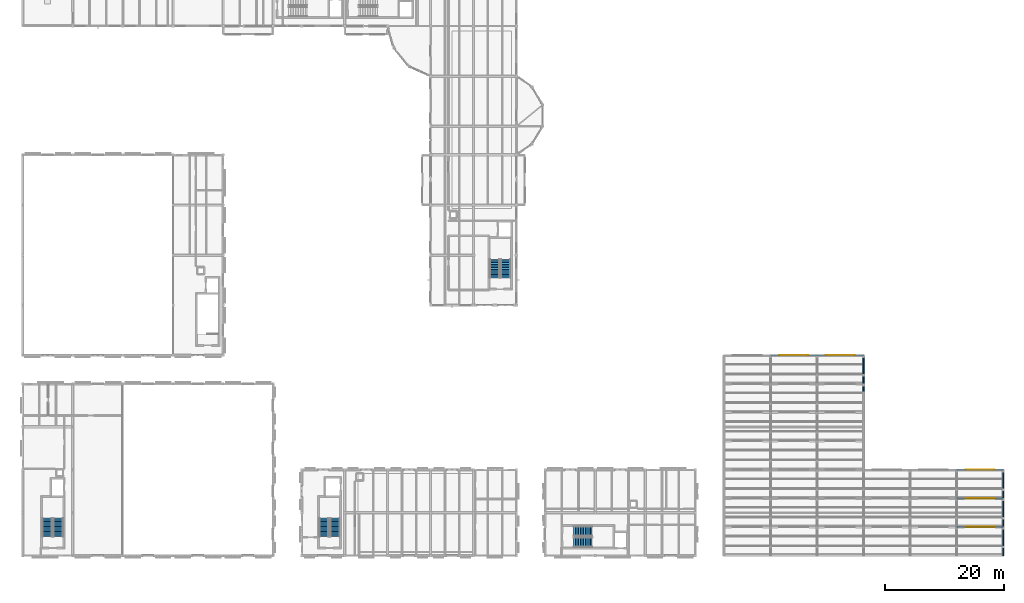
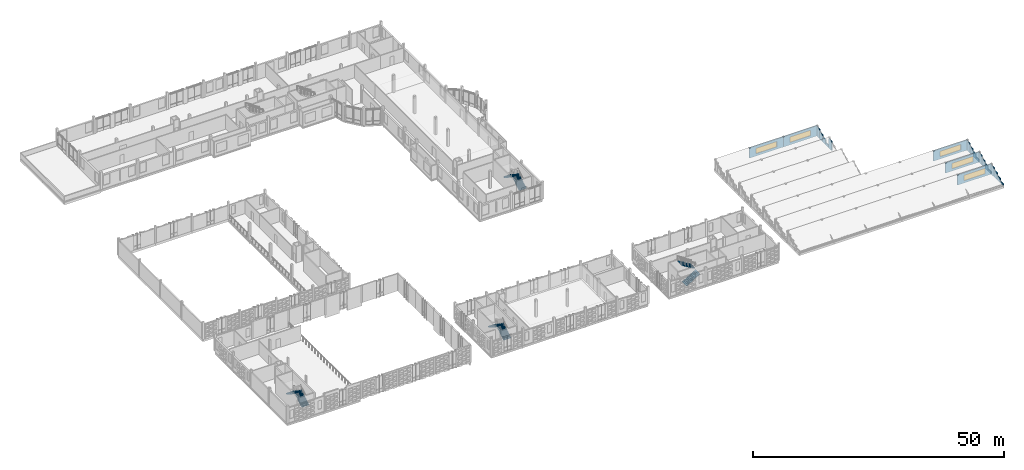
# One storey, part 64 of 81: 22 walls, 8 stair flights, 5 windows, 5 openings, 4 elements without a shape of their own.
"""IFC4 building model written with IfcOpenShell, lengths in metres."""

from ifc_helpers import new_model, si_unit, direction, frame, frame_2d, origin, place, context, subcontext, project, spatial, polyline, rectangle, outline, extrude, material, layer, layer_set, type_object, element, fill, aggregate, save


model = new_model("IFC4")

# Units and contexts
model_context = context("Model", 3, precision=1e-05, world=origin(), true_north=direction((0.0, 1.0)))
body_context = subcontext(model_context, "Body", "Model", "MODEL_VIEW")
ifc_project = project(units=[si_unit("LENGTHUNIT", "METRE"), si_unit("AREAUNIT", "SQUARE_METRE"), si_unit("VOLUMEUNIT", "CUBIC_METRE"), si_unit("PLANEANGLEUNIT", "RADIAN"), si_unit("MASSUNIT", "GRAM", prefix="KILO")], contexts=[model_context])

# Site, building, storey
site_placement = place(None, origin())
site = spatial("IfcSite", under=ifc_project, at=site_placement, CompositionType="ELEMENT")
building_placement = place(site_placement, origin())
building = spatial("IfcBuilding", under=site, at=building_placement, Name="Kahlenmark Community Centre", CompositionType="ELEMENT")
storey_placement = place(building_placement, frame((0.0, 0.0, 9.60009765625)))
storey = spatial("IfcBuildingStorey", under=building, at=storey_placement, Name="L02", CompositionType="ELEMENT", Elevation=9.60009765625)

# Wall, opening, window
ifc_material_1 = material(Name="Cross-laminated timber CLT C24", Category="wood")
ifc_layer = layer(ifc_material_1, 0.199951171875)
ifc_layer_set = layer_set([ifc_layer], Name="Cross-laminated timber CLT C24")
wall_type = type_object("IfcWallType", Name="WT-EW-SAW200", PredefinedType="SOLIDWALL", material=ifc_layer_set)
wall_1_placement = place(storey_placement, frame((160.60009765625, 13.60009765625, 0.0), z_axis=(0.0, 0.0, 1.0), x_axis=(1.0, 0.0, 0.0)))
wall_1 = element("IfcWall", 1, at=wall_1_placement, inside=storey, type_object=wall_type, Name="Sawtooth north-light wall bay 1", PredefinedType="SOLIDWALL", context=body_context, shape_type="SweptSolid", body=[
    extrude(rectangle(XDim=7.7998046875, YDim=0.199951171875, at=frame_2d((3.89990234375, 0.0))), origin(), (0.0, 0.0, 1.0), 2.4599609375),
])
opening_1_placement = place(wall_1_placement, frame((1.5, 0.0, 0.580078125)))
opening_1 = element("IfcOpeningElement", 2, at=opening_1_placement, cuts=wall_1, Name="Opening SK-SAW1", PredefinedType="OPENING", context=body_context, shape_type="SweptSolid", body=[
    extrude(rectangle(XDim=4.800048828125, YDim=1.300048828125, at=frame_2d((2.39990234375, 0.64990234375))), frame((0.0, 0.10986328125, 0.0), z_axis=(0.0, -1.0, 0.0), x_axis=(1.0, 0.0, 0.0)), (0.0, 0.0, 1.0), 0.219970703125),
])
ifc_material_2 = material(Name="North-light solar control triple glazing", Category="glass")
window_type = type_object("IfcWindowType", Name="WNT-SK-SAW", PartitioningType="TRIPLE_PANEL_VERTICAL", PredefinedType="SKYLIGHT", material=ifc_material_2)
window_1_placement = place(opening_1_placement, origin())
window_1 = element("IfcWindow", 3, at=window_1_placement, inside=storey, type_object=window_type, Name="Sawtooth north-light skylight 0556", OverallHeight=1.300048828125, OverallWidth=4.800048828125, PartitioningType="TRIPLE_PANEL_VERTICAL", PredefinedType="SKYLIGHT", context=body_context, shape_type="SweptSolid", body=[
    extrude(rectangle(XDim=4.800048828125, YDim=1.300048828125, at=frame_2d((2.39990234375, 0.64990234375))), frame((0.0, 0.030029296875, 0.0), z_axis=(0.0, -1.0, 0.0), x_axis=(1.0, 0.0, 0.0)), (0.0, 0.0, 1.0), 0.06005859375),
])
fill(opening_1, window_1)

# Walls
wall_2_placement = place(storey_placement, frame((168.39990234375, 8.800048828125, 0.0), z_axis=(0.0, 0.0, 1.0), x_axis=(0.0, 1.0, 0.0)))
element("IfcWall", 4, at=wall_2_placement, inside=storey, type_object=wall_type, Name="Sawtooth stepped cheek gable 0938", PredefinedType="SOLIDWALL", context=body_context, shape_type="SweptSolid", body=[
    extrude(rectangle(XDim=1.199951171875, YDim=0.199951171875, at=frame_2d((0.60009765625, 0.0))), origin(), (0.0, 0.0, 1.0), 0.5439453125),
])
wall_3_placement = place(storey_placement, frame((168.39990234375, 10.0, 0.0), z_axis=(0.0, 0.0, 1.0), x_axis=(0.0, 1.0, 0.0)))
element("IfcWall", 5, at=wall_3_placement, inside=storey, type_object=wall_type, Name="Sawtooth stepped cheek gable 0939", PredefinedType="SOLIDWALL", context=body_context, shape_type="SweptSolid", body=[
    extrude(rectangle(XDim=1.199951171875, YDim=0.199951171875, at=frame_2d((0.60009765625, 0.0))), origin(), (0.0, 0.0, 1.0), 1.10400390625),
])
wall_4_placement = place(storey_placement, frame((168.39990234375, 11.199951171875, 0.0), z_axis=(0.0, 0.0, 1.0), x_axis=(0.0, 1.0, 0.0)))
element("IfcWall", 6, at=wall_4_placement, inside=storey, type_object=wall_type, Name="Sawtooth stepped cheek gable 0940", PredefinedType="SOLIDWALL", context=body_context, shape_type="SweptSolid", body=[
    extrude(rectangle(XDim=1.199951171875, YDim=0.199951171875, at=frame_2d((0.60009765625, 0.0))), origin(), (0.0, 0.0, 1.0), 1.663818359375),
])
wall_5_placement = place(storey_placement, frame((168.39990234375, 12.39990234375, 0.0), z_axis=(0.0, 0.0, 1.0), x_axis=(0.0, 1.0, 0.0)))
element("IfcWall", 7, at=wall_5_placement, inside=storey, type_object=wall_type, Name="Sawtooth stepped cheek gable 0941", PredefinedType="SOLIDWALL", context=body_context, shape_type="SweptSolid", body=[
    extrude(rectangle(XDim=1.2001953125, YDim=0.199951171875, at=frame_2d((0.60009765625, 0.0))), origin(), (0.0, 0.0, 1.0), 2.223876953125),
])

# Wall, opening, window
wall_6_placement = place(storey_placement, frame((160.60009765625, 18.39990234375, 0.0), z_axis=(0.0, 0.0, 1.0), x_axis=(1.0, 0.0, 0.0)))
wall_6 = element("IfcWall", 8, at=wall_6_placement, inside=storey, type_object=wall_type, Name="Sawtooth north-light wall bay 2", PredefinedType="SOLIDWALL", context=body_context, shape_type="SweptSolid", body=[
    extrude(rectangle(XDim=7.7998046875, YDim=0.199951171875, at=frame_2d((3.89990234375, 0.0))), origin(), (0.0, 0.0, 1.0), 2.4599609375),
])
opening_2_placement = place(wall_6_placement, frame((1.5, 0.0, 0.580078125)))
opening_2 = element("IfcOpeningElement", 9, at=opening_2_placement, cuts=wall_6, Name="Opening SK-SAW1", PredefinedType="OPENING", context=body_context, shape_type="SweptSolid", body=[
    extrude(rectangle(XDim=4.800048828125, YDim=1.300048828125, at=frame_2d((2.39990234375, 0.64990234375))), frame((0.0, 0.10986328125, 0.0), z_axis=(0.0, -1.0, 0.0), x_axis=(1.0, 0.0, 0.0)), (0.0, 0.0, 1.0), 0.219970703125),
])
window_2_placement = place(opening_2_placement, origin())
window_2 = element("IfcWindow", 10, at=window_2_placement, inside=storey, type_object=window_type, Name="Sawtooth north-light skylight 0562", OverallHeight=1.300048828125, OverallWidth=4.800048828125, PartitioningType="TRIPLE_PANEL_VERTICAL", PredefinedType="SKYLIGHT", context=body_context, shape_type="SweptSolid", body=[
    extrude(rectangle(XDim=4.800048828125, YDim=1.300048828125, at=frame_2d((2.39990234375, 0.64990234375))), frame((0.0, 0.030029296875, 0.0), z_axis=(0.0, -1.0, 0.0), x_axis=(1.0, 0.0, 0.0)), (0.0, 0.0, 1.0), 0.06005859375),
])
fill(opening_2, window_2)

# Walls
wall_7_placement = place(storey_placement, frame((168.39990234375, 13.60009765625, 0.0), z_axis=(0.0, 0.0, 1.0), x_axis=(0.0, 1.0, 0.0)))
element("IfcWall", 11, at=wall_7_placement, inside=storey, type_object=wall_type, Name="Sawtooth stepped cheek gable 0952", PredefinedType="SOLIDWALL", context=body_context, shape_type="SweptSolid", body=[
    extrude(rectangle(XDim=1.199951171875, YDim=0.199951171875, at=frame_2d((0.60009765625, 0.0))), origin(), (0.0, 0.0, 1.0), 0.5439453125),
])
wall_8_placement = place(storey_placement, frame((168.39990234375, 14.800048828125, 0.0), z_axis=(0.0, 0.0, 1.0), x_axis=(0.0, 1.0, 0.0)))
element("IfcWall", 12, at=wall_8_placement, inside=storey, type_object=wall_type, Name="Sawtooth stepped cheek gable 0953", PredefinedType="SOLIDWALL", context=body_context, shape_type="SweptSolid", body=[
    extrude(rectangle(XDim=1.199951171875, YDim=0.199951171875, at=frame_2d((0.60009765625, 0.0))), origin(), (0.0, 0.0, 1.0), 1.10400390625),
])
wall_9_placement = place(storey_placement, frame((168.39990234375, 16.0, 0.0), z_axis=(0.0, 0.0, 1.0), x_axis=(0.0, 1.0, 0.0)))
element("IfcWall", 13, at=wall_9_placement, inside=storey, type_object=wall_type, Name="Sawtooth stepped cheek gable 0954", PredefinedType="SOLIDWALL", context=body_context, shape_type="SweptSolid", body=[
    extrude(rectangle(XDim=1.199951171875, YDim=0.199951171875, at=frame_2d((0.60009765625, 0.0))), origin(), (0.0, 0.0, 1.0), 1.663818359375),
])
wall_10_placement = place(storey_placement, frame((168.39990234375, 17.199951171875, 0.0), z_axis=(0.0, 0.0, 1.0), x_axis=(0.0, 1.0, 0.0)))
element("IfcWall", 14, at=wall_10_placement, inside=storey, type_object=wall_type, Name="Sawtooth stepped cheek gable 0955", PredefinedType="SOLIDWALL", context=body_context, shape_type="SweptSolid", body=[
    extrude(rectangle(XDim=1.199951171875, YDim=0.199951171875, at=frame_2d((0.60009765625, 0.0))), origin(), (0.0, 0.0, 1.0), 2.223876953125),
])

# Wall, opening, window
wall_11_placement = place(storey_placement, frame((160.60009765625, 23.199951171875, 0.0), z_axis=(0.0, 0.0, 1.0), x_axis=(1.0, 0.0, 0.0)))
wall_11 = element("IfcWall", 15, at=wall_11_placement, inside=storey, type_object=wall_type, Name="Sawtooth north-light wall bay 3", PredefinedType="SOLIDWALL", context=body_context, shape_type="SweptSolid", body=[
    extrude(rectangle(XDim=7.7998046875, YDim=0.199951171875, at=frame_2d((3.89990234375, 0.0))), origin(), (0.0, 0.0, 1.0), 2.4599609375),
])
opening_3_placement = place(wall_11_placement, frame((1.5, 0.0, 0.580078125)))
opening_3 = element("IfcOpeningElement", 16, at=opening_3_placement, cuts=wall_11, Name="Opening SK-SAW1", PredefinedType="OPENING", context=body_context, shape_type="SweptSolid", body=[
    extrude(rectangle(XDim=4.800048828125, YDim=1.300048828125, at=frame_2d((2.39990234375, 0.64990234375))), frame((0.0, 0.10986328125, 0.0), z_axis=(0.0, -1.0, 0.0), x_axis=(1.0, 0.0, 0.0)), (0.0, 0.0, 1.0), 0.219970703125),
])
window_3_placement = place(opening_3_placement, origin())
window_3 = element("IfcWindow", 17, at=window_3_placement, inside=storey, type_object=window_type, Name="Sawtooth north-light skylight 0568", OverallHeight=1.300048828125, OverallWidth=4.800048828125, PartitioningType="TRIPLE_PANEL_VERTICAL", PredefinedType="SKYLIGHT", context=body_context, shape_type="SweptSolid", body=[
    extrude(rectangle(XDim=4.800048828125, YDim=1.300048828125, at=frame_2d((2.39990234375, 0.64990234375))), frame((0.0, 0.030029296875, 0.0), z_axis=(0.0, -1.0, 0.0), x_axis=(1.0, 0.0, 0.0)), (0.0, 0.0, 1.0), 0.06005859375),
])
fill(opening_3, window_3)

# Walls
wall_12_placement = place(storey_placement, frame((168.39990234375, 18.39990234375, 0.0), z_axis=(0.0, 0.0, 1.0), x_axis=(0.0, 1.0, 0.0)))
element("IfcWall", 18, at=wall_12_placement, inside=storey, type_object=wall_type, Name="Sawtooth stepped cheek gable 0966", PredefinedType="SOLIDWALL", context=body_context, shape_type="SweptSolid", body=[
    extrude(rectangle(XDim=1.2001953125, YDim=0.199951171875, at=frame_2d((0.60009765625, 0.0))), origin(), (0.0, 0.0, 1.0), 0.5439453125),
])
wall_13_placement = place(storey_placement, frame((168.39990234375, 19.60009765625, 0.0), z_axis=(0.0, 0.0, 1.0), x_axis=(0.0, 1.0, 0.0)))
element("IfcWall", 19, at=wall_13_placement, inside=storey, type_object=wall_type, Name="Sawtooth stepped cheek gable 0967", PredefinedType="SOLIDWALL", context=body_context, shape_type="SweptSolid", body=[
    extrude(rectangle(XDim=1.199951171875, YDim=0.199951171875, at=frame_2d((0.60009765625, 0.0))), origin(), (0.0, 0.0, 1.0), 1.10400390625),
])
wall_14_placement = place(storey_placement, frame((168.39990234375, 20.800048828125, 0.0), z_axis=(0.0, 0.0, 1.0), x_axis=(0.0, 1.0, 0.0)))
element("IfcWall", 20, at=wall_14_placement, inside=storey, type_object=wall_type, Name="Sawtooth stepped cheek gable 0968", PredefinedType="SOLIDWALL", context=body_context, shape_type="SweptSolid", body=[
    extrude(rectangle(XDim=1.199951171875, YDim=0.199951171875, at=frame_2d((0.60009765625, 0.0))), origin(), (0.0, 0.0, 1.0), 1.663818359375),
])
wall_15_placement = place(storey_placement, frame((168.39990234375, 22.0, 0.0), z_axis=(0.0, 0.0, 1.0), x_axis=(0.0, 1.0, 0.0)))
element("IfcWall", 21, at=wall_15_placement, inside=storey, type_object=wall_type, Name="Sawtooth stepped cheek gable 0969", PredefinedType="SOLIDWALL", context=body_context, shape_type="SweptSolid", body=[
    extrude(rectangle(XDim=1.199951171875, YDim=0.199951171875, at=frame_2d((0.60009765625, 0.0))), origin(), (0.0, 0.0, 1.0), 2.223876953125),
])
wall_16_placement = place(storey_placement, frame((145.0, 36.39990234375, 0.0), z_axis=(0.0, 0.0, 1.0), x_axis=(0.0, 1.0, 0.0)))
element("IfcWall", 22, at=wall_16_placement, inside=storey, type_object=wall_type, Name="Sawtooth stepped cheek gable 1002", PredefinedType="SOLIDWALL", context=body_context, shape_type="SweptSolid", body=[
    extrude(rectangle(XDim=1.2001953125, YDim=0.199951171875, at=frame_2d((0.60009765625, 0.0))), origin(), (0.0, 0.0, 1.0), 2.223876953125),
])

# Wall, opening, window
wall_17_placement = place(storey_placement, frame((129.39990234375, 42.39990234375, 0.0), z_axis=(0.0, 0.0, 1.0), x_axis=(1.0, 0.0, 0.0)))
wall_17 = element("IfcWall", 23, at=wall_17_placement, inside=storey, type_object=wall_type, Name="Sawtooth north-light wall bay 7", PredefinedType="SOLIDWALL", context=body_context, shape_type="SweptSolid", body=[
    extrude(rectangle(XDim=7.800048828125, YDim=0.199951171875, at=frame_2d((3.89990234375, 0.0))), origin(), (0.0, 0.0, 1.0), 2.4599609375),
])
opening_4_placement = place(wall_17_placement, frame((1.5, 0.0, 0.580078125)))
opening_4 = element("IfcOpeningElement", 24, at=opening_4_placement, cuts=wall_17, Name="Opening SK-SAW1", PredefinedType="OPENING", context=body_context, shape_type="SweptSolid", body=[
    extrude(rectangle(XDim=4.800048828125, YDim=1.300048828125, at=frame_2d((2.39990234375, 0.64990234375))), frame((0.0, 0.10986328125, 0.0), z_axis=(0.0, -1.0, 0.0), x_axis=(1.0, 0.0, 0.0)), (0.0, 0.0, 1.0), 0.219970703125),
])
window_4_placement = place(opening_4_placement, origin())
window_4 = element("IfcWindow", 25, at=window_4_placement, inside=storey, type_object=window_type, Name="Sawtooth north-light skylight 0579", OverallHeight=1.300048828125, OverallWidth=4.800048828125, PartitioningType="TRIPLE_PANEL_VERTICAL", PredefinedType="SKYLIGHT", context=body_context, shape_type="SweptSolid", body=[
    extrude(rectangle(XDim=4.800048828125, YDim=1.300048828125, at=frame_2d((2.39990234375, 0.64990234375))), frame((0.0, 0.030029296875, 0.0), z_axis=(0.0, -1.0, 0.0), x_axis=(1.0, 0.0, 0.0)), (0.0, 0.0, 1.0), 0.06005859375),
])
fill(opening_4, window_4)

wall_18_placement = place(storey_placement, frame((137.199951171875, 42.39990234375, 0.0), z_axis=(0.0, 0.0, 1.0), x_axis=(1.0, 0.0, 0.0)))
wall_18 = element("IfcWall", 26, at=wall_18_placement, inside=storey, type_object=wall_type, Name="Sawtooth north-light wall bay 7", PredefinedType="SOLIDWALL", context=body_context, shape_type="SweptSolid", body=[
    extrude(rectangle(XDim=7.800048828125, YDim=0.199951171875, at=frame_2d((3.89990234375, 0.0))), origin(), (0.0, 0.0, 1.0), 2.4599609375),
])
opening_5_placement = place(wall_18_placement, frame((1.5, 0.0, 0.580078125)))
opening_5 = element("IfcOpeningElement", 27, at=opening_5_placement, cuts=wall_18, Name="Opening SK-SAW1", PredefinedType="OPENING", context=body_context, shape_type="SweptSolid", body=[
    extrude(rectangle(XDim=4.800048828125, YDim=1.300048828125, at=frame_2d((2.39990234375, 0.64990234375))), frame((0.0, 0.10986328125, 0.0), z_axis=(0.0, -1.0, 0.0), x_axis=(1.0, 0.0, 0.0)), (0.0, 0.0, 1.0), 0.219970703125),
])
window_5_placement = place(opening_5_placement, origin())
window_5 = element("IfcWindow", 28, at=window_5_placement, inside=storey, type_object=window_type, Name="Sawtooth north-light skylight 0580", OverallHeight=1.300048828125, OverallWidth=4.800048828125, PartitioningType="TRIPLE_PANEL_VERTICAL", PredefinedType="SKYLIGHT", context=body_context, shape_type="SweptSolid", body=[
    extrude(rectangle(XDim=4.800048828125, YDim=1.300048828125, at=frame_2d((2.39990234375, 0.64990234375))), frame((0.0, 0.030029296875, 0.0), z_axis=(0.0, -1.0, 0.0), x_axis=(1.0, 0.0, 0.0)), (0.0, 0.0, 1.0), 0.06005859375),
])
fill(opening_5, window_5)

# Walls
wall_19_placement = place(storey_placement, frame((145.0, 37.60009765625, 0.0), z_axis=(0.0, 0.0, 1.0), x_axis=(0.0, 1.0, 0.0)))
element("IfcWall", 29, at=wall_19_placement, inside=storey, type_object=wall_type, Name="Sawtooth stepped cheek gable 1010", PredefinedType="SOLIDWALL", context=body_context, shape_type="SweptSolid", body=[
    extrude(rectangle(XDim=1.199951171875, YDim=0.199951171875, at=frame_2d((0.60009765625, 0.0))), origin(), (0.0, 0.0, 1.0), 0.5439453125),
])
wall_20_placement = place(storey_placement, frame((145.0, 38.800048828125, 0.0), z_axis=(0.0, 0.0, 1.0), x_axis=(0.0, 1.0, 0.0)))
element("IfcWall", 30, at=wall_20_placement, inside=storey, type_object=wall_type, Name="Sawtooth stepped cheek gable 1011", PredefinedType="SOLIDWALL", context=body_context, shape_type="SweptSolid", body=[
    extrude(rectangle(XDim=1.199951171875, YDim=0.199951171875, at=frame_2d((0.60009765625, 0.0))), origin(), (0.0, 0.0, 1.0), 1.10400390625),
])
wall_21_placement = place(storey_placement, frame((145.0, 40.0, 0.0), z_axis=(0.0, 0.0, 1.0), x_axis=(0.0, 1.0, 0.0)))
element("IfcWall", 31, at=wall_21_placement, inside=storey, type_object=wall_type, Name="Sawtooth stepped cheek gable 1012", PredefinedType="SOLIDWALL", context=body_context, shape_type="SweptSolid", body=[
    extrude(rectangle(XDim=1.199951171875, YDim=0.199951171875, at=frame_2d((0.60009765625, 0.0))), origin(), (0.0, 0.0, 1.0), 1.663818359375),
])
wall_22_placement = place(storey_placement, frame((145.0, 41.199951171875, 0.0), z_axis=(0.0, 0.0, 1.0), x_axis=(0.0, 1.0, 0.0)))
element("IfcWall", 32, at=wall_22_placement, inside=storey, type_object=wall_type, Name="Sawtooth stepped cheek gable 1013", PredefinedType="SOLIDWALL", context=body_context, shape_type="SweptSolid", body=[
    extrude(rectangle(XDim=1.199951171875, YDim=0.199951171875, at=frame_2d((0.60009765625, 0.0))), origin(), (0.0, 0.0, 1.0), 2.223876953125),
])

# Stair, stair flights
ifc_material_3 = material(Name="Concrete C35/45", Category="concrete")
stair_type_1 = type_object("IfcStairType", Name="STT-CORE-ST-01-175", PredefinedType="HALF_TURN_STAIR", material=ifc_material_3)
stair_1_placement = place(storey_placement, origin())
stair_1 = element("IfcStair", 33, at=stair_1_placement, inside=storey, type_object=stair_type_1, Name="L02 Core K1 Escape Stair ST-01", PredefinedType="HALF_TURN_STAIR")
stair_flight_type_1 = type_object("IfcStairFlightType", Name="SFT-CORE-ST-01-175", PredefinedType="STRAIGHT", material=ifc_material_3)
stair_flight_1_placement = place(storey_placement, frame((9.97509765625, 12.0, 0.0), z_axis=(0.0, 0.0, 1.0), x_axis=(0.0, 1.0, 0.0)))
stair_flight_1 = element("IfcStairFlight", 34, at=stair_flight_1_placement, type_object=stair_flight_type_1, Name="ST-01 flight 1", NumberOfRisers=12, NumberOfTreads=11, PredefinedType="STRAIGHT", RiserHeight=0.175, TreadLength=0.28, context=body_context, shape_type="SweptSolid", body=[
    extrude(outline(polyline([(0.0, 0.0), (0.0, 0.175048828125), (0.280029296875, 0.175048828125), (0.280029296875, 0.35009765625), (0.56005859375, 0.35009765625), (0.56005859375, 0.52490234375), (0.840087890625, 0.52490234375), (0.840087890625, 0.699951171875), (1.1201171875, 0.699951171875), (1.1201171875, 0.875), (1.39990234375, 0.875), (1.39990234375, 1.050048828125), (1.679931640625, 1.050048828125), (1.679931640625, 1.22509765625), (1.9599609375, 1.22509765625), (1.9599609375, 1.39990234375), (2.239990234375, 1.39990234375), (2.239990234375, 1.574951171875), (2.52001953125, 1.574951171875), (2.52001953125, 1.75), (2.800048828125, 1.75), (2.800048828125, 1.925048828125), (3.080078125, 1.925048828125), (3.080078125, 2.10009765625), (3.080078125, 1.748291015625), (0.28271484375, 0.0), (0.0, 0.0)])), frame((0.0, 0.824951171875, 0.0), z_axis=(0.0, -1.0, 0.0), x_axis=(1.0, 0.0, 0.0)), (0.0, 0.0, 1.0), 1.64990234375),
])
stair_flight_2_placement = place(storey_placement, frame((8.125, 15.080078125, 2.099853515625), z_axis=(0.0, 0.0, 1.0), x_axis=(0.0, -1.0, 0.0)))
stair_flight_2 = element("IfcStairFlight", 35, at=stair_flight_2_placement, type_object=stair_flight_type_1, Name="ST-01 flight 2", NumberOfRisers=12, NumberOfTreads=11, PredefinedType="STRAIGHT", RiserHeight=0.175, TreadLength=0.28, context=body_context, shape_type="SweptSolid", body=[
    extrude(outline(polyline([(0.0, 0.0), (0.0, 0.175048828125), (0.280029296875, 0.175048828125), (0.280029296875, 0.35009765625), (0.56005859375, 0.35009765625), (0.56005859375, 0.52490234375), (0.840087890625, 0.52490234375), (0.840087890625, 0.699951171875), (1.1201171875, 0.699951171875), (1.1201171875, 0.875), (1.39990234375, 0.875), (1.39990234375, 1.050048828125), (1.679931640625, 1.050048828125), (1.679931640625, 1.22509765625), (1.9599609375, 1.22509765625), (1.9599609375, 1.39990234375), (2.239990234375, 1.39990234375), (2.239990234375, 1.574951171875), (2.52001953125, 1.574951171875), (2.52001953125, 1.75), (2.800048828125, 1.75), (2.800048828125, 1.925048828125), (3.080078125, 1.925048828125), (3.080078125, 2.10009765625), (3.080078125, 1.748291015625), (0.28271484375, 0.0), (0.0, 0.0)])), frame((0.0, 0.824951171875, 0.0), z_axis=(0.0, -1.0, 0.0), x_axis=(1.0, 0.0, 0.0)), (0.0, 0.0, 1.0), 1.64990234375),
])
aggregate(stair_1, [stair_flight_1, stair_flight_2])

stair_type_2 = type_object("IfcStairType", Name="STT-CORE-ST-03-175", PredefinedType="HALF_TURN_STAIR", material=ifc_material_3)
stair_2_placement = place(storey_placement, origin())
stair_2 = element("IfcStair", 36, at=stair_2_placement, inside=storey, type_object=stair_type_2, Name="L02 Core K3 Escape Stair ST-03", PredefinedType="HALF_TURN_STAIR")
stair_flight_type_2 = type_object("IfcStairFlightType", Name="SFT-CORE-ST-03-175", PredefinedType="STRAIGHT", material=ifc_material_3)
stair_flight_3_placement = place(storey_placement, frame((56.375, 12.0, 0.0), z_axis=(0.0, 0.0, 1.0), x_axis=(0.0, 1.0, 0.0)))
stair_flight_3 = element("IfcStairFlight", 37, at=stair_flight_3_placement, type_object=stair_flight_type_2, Name="ST-03 flight 1", NumberOfRisers=12, NumberOfTreads=11, PredefinedType="STRAIGHT", RiserHeight=0.175, TreadLength=0.28, context=body_context, shape_type="SweptSolid", body=[
    extrude(outline(polyline([(0.0, 0.0), (0.0, 0.175048828125), (0.280029296875, 0.175048828125), (0.280029296875, 0.35009765625), (0.56005859375, 0.35009765625), (0.56005859375, 0.52490234375), (0.840087890625, 0.52490234375), (0.840087890625, 0.699951171875), (1.1201171875, 0.699951171875), (1.1201171875, 0.875), (1.39990234375, 0.875), (1.39990234375, 1.050048828125), (1.679931640625, 1.050048828125), (1.679931640625, 1.22509765625), (1.9599609375, 1.22509765625), (1.9599609375, 1.39990234375), (2.239990234375, 1.39990234375), (2.239990234375, 1.574951171875), (2.52001953125, 1.574951171875), (2.52001953125, 1.75), (2.800048828125, 1.75), (2.800048828125, 1.925048828125), (3.080078125, 1.925048828125), (3.080078125, 2.10009765625), (3.080078125, 1.748291015625), (0.28271484375, 0.0), (0.0, 0.0)])), frame((0.0, 0.824951171875, 0.0), z_axis=(0.0, -1.0, 0.0), x_axis=(1.0, 0.0, 0.0)), (0.0, 0.0, 1.0), 1.64990234375),
])
stair_flight_4_placement = place(storey_placement, frame((54.52490234375, 15.080078125, 2.099853515625), z_axis=(0.0, 0.0, 1.0), x_axis=(0.0, -1.0, 0.0)))
stair_flight_4 = element("IfcStairFlight", 38, at=stair_flight_4_placement, type_object=stair_flight_type_2, Name="ST-03 flight 2", NumberOfRisers=12, NumberOfTreads=11, PredefinedType="STRAIGHT", RiserHeight=0.175, TreadLength=0.28, context=body_context, shape_type="SweptSolid", body=[
    extrude(outline(polyline([(0.0, 0.0), (0.0, 0.175048828125), (0.280029296875, 0.175048828125), (0.280029296875, 0.35009765625), (0.56005859375, 0.35009765625), (0.56005859375, 0.52490234375), (0.840087890625, 0.52490234375), (0.840087890625, 0.699951171875), (1.1201171875, 0.699951171875), (1.1201171875, 0.875), (1.39990234375, 0.875), (1.39990234375, 1.050048828125), (1.679931640625, 1.050048828125), (1.679931640625, 1.22509765625), (1.9599609375, 1.22509765625), (1.9599609375, 1.39990234375), (2.239990234375, 1.39990234375), (2.239990234375, 1.574951171875), (2.52001953125, 1.574951171875), (2.52001953125, 1.75), (2.800048828125, 1.75), (2.800048828125, 1.925048828125), (3.080078125, 1.925048828125), (3.080078125, 2.10009765625), (3.080078125, 1.748291015625), (0.28271484375, 0.0), (0.0, 0.0)])), frame((0.0, 0.824951171875, 0.0), z_axis=(0.0, -1.0, 0.0), x_axis=(1.0, 0.0, 0.0)), (0.0, 0.0, 1.0), 1.64990234375),
])
aggregate(stair_2, [stair_flight_3, stair_flight_4])

stair_type_3 = type_object("IfcStairType", Name="STT-CORE-ST-06-175", PredefinedType="HALF_TURN_STAIR", material=ifc_material_3)
stair_3_placement = place(storey_placement, origin())
stair_3 = element("IfcStair", 39, at=stair_3_placement, inside=storey, type_object=stair_type_3, Name="L02 Core K6 Escape Stair ST-06", PredefinedType="HALF_TURN_STAIR")
stair_flight_type_3 = type_object("IfcStairFlightType", Name="SFT-CORE-ST-06-175", PredefinedType="STRAIGHT", material=ifc_material_3)
stair_flight_5_placement = place(storey_placement, frame((84.97509765625, 55.39990234375, 0.0), z_axis=(0.0, 0.0, 1.0), x_axis=(0.0, 1.0, 0.0)))
stair_flight_5 = element("IfcStairFlight", 40, at=stair_flight_5_placement, type_object=stair_flight_type_3, Name="ST-06 flight 1", NumberOfRisers=12, NumberOfTreads=11, PredefinedType="STRAIGHT", RiserHeight=0.175, TreadLength=0.28, context=body_context, shape_type="SweptSolid", body=[
    extrude(outline(polyline([(0.0, 0.0), (0.0, 0.175048828125), (0.280029296875, 0.175048828125), (0.280029296875, 0.35009765625), (0.56005859375, 0.35009765625), (0.56005859375, 0.52490234375), (0.840087890625, 0.52490234375), (0.840087890625, 0.699951171875), (1.1201171875, 0.699951171875), (1.1201171875, 0.875), (1.39990234375, 0.875), (1.39990234375, 1.050048828125), (1.679931640625, 1.050048828125), (1.679931640625, 1.22509765625), (1.9599609375, 1.22509765625), (1.9599609375, 1.39990234375), (2.239990234375, 1.39990234375), (2.239990234375, 1.574951171875), (2.52001953125, 1.574951171875), (2.52001953125, 1.75), (2.800048828125, 1.75), (2.800048828125, 1.925048828125), (3.080078125, 1.925048828125), (3.080078125, 2.10009765625), (3.080078125, 1.748291015625), (0.28271484375, 0.0), (0.0, 0.0)])), frame((0.0, 0.824951171875, 0.0), z_axis=(0.0, -1.0, 0.0), x_axis=(1.0, 0.0, 0.0)), (0.0, 0.0, 1.0), 1.64990234375),
])
stair_flight_6_placement = place(storey_placement, frame((83.125, 58.47998046875, 2.099853515625), z_axis=(0.0, 0.0, 1.0), x_axis=(0.0, -1.0, 0.0)))
stair_flight_6 = element("IfcStairFlight", 41, at=stair_flight_6_placement, type_object=stair_flight_type_3, Name="ST-06 flight 2", NumberOfRisers=12, NumberOfTreads=11, PredefinedType="STRAIGHT", RiserHeight=0.175, TreadLength=0.28, context=body_context, shape_type="SweptSolid", body=[
    extrude(outline(polyline([(0.0, 0.0), (0.0, 0.175048828125), (0.280029296875, 0.175048828125), (0.280029296875, 0.35009765625), (0.56005859375, 0.35009765625), (0.56005859375, 0.52490234375), (0.840087890625, 0.52490234375), (0.840087890625, 0.699951171875), (1.1201171875, 0.699951171875), (1.1201171875, 0.875), (1.39990234375, 0.875), (1.39990234375, 1.050048828125), (1.679931640625, 1.050048828125), (1.679931640625, 1.22509765625), (1.9599609375, 1.22509765625), (1.9599609375, 1.39990234375), (2.239990234375, 1.39990234375), (2.239990234375, 1.574951171875), (2.52001953125, 1.574951171875), (2.52001953125, 1.75), (2.800048828125, 1.75), (2.800048828125, 1.925048828125), (3.080078125, 1.925048828125), (3.080078125, 2.10009765625), (3.080078125, 1.748291015625), (0.28271484375, 0.0), (0.0, 0.0)])), frame((0.0, 0.824951171875, 0.0), z_axis=(0.0, -1.0, 0.0), x_axis=(1.0, 0.0, 0.0)), (0.0, 0.0, 1.0), 1.64990234375),
])
aggregate(stair_3, [stair_flight_5, stair_flight_6])

stair_type_4 = type_object("IfcStairType", Name="STT-CORE-ST-07-175", PredefinedType="HALF_TURN_STAIR", material=ifc_material_3)
stair_4_placement = place(storey_placement, origin())
stair_4 = element("IfcStair", 42, at=stair_4_placement, inside=storey, type_object=stair_type_4, Name="L02 Core K7 Escape Stair ST-07", PredefinedType="HALF_TURN_STAIR")
stair_flight_type_4 = type_object("IfcStairFlightType", Name="SFT-CORE-ST-07-175", PredefinedType="STRAIGHT", material=ifc_material_3)
stair_flight_7_placement = place(storey_placement, frame((96.39990234375, 11.02490234375, 0.0), z_axis=(0.0, 0.0, 1.0), x_axis=(1.0, 0.0, 0.0)))
stair_flight_7 = element("IfcStairFlight", 43, at=stair_flight_7_placement, type_object=stair_flight_type_4, Name="ST-07 flight 1", NumberOfRisers=12, NumberOfTreads=11, PredefinedType="STRAIGHT", RiserHeight=0.175, TreadLength=0.28, context=body_context, shape_type="SweptSolid", body=[
    extrude(outline(polyline([(0.0, 0.0), (0.0, 0.175048828125), (0.280029296875, 0.175048828125), (0.280029296875, 0.35009765625), (0.56005859375, 0.35009765625), (0.56005859375, 0.52490234375), (0.840087890625, 0.52490234375), (0.840087890625, 0.699951171875), (1.1201171875, 0.699951171875), (1.1201171875, 0.875), (1.39990234375, 0.875), (1.39990234375, 1.050048828125), (1.679931640625, 1.050048828125), (1.679931640625, 1.22509765625), (1.9599609375, 1.22509765625), (1.9599609375, 1.39990234375), (2.239990234375, 1.39990234375), (2.239990234375, 1.574951171875), (2.52001953125, 1.574951171875), (2.52001953125, 1.75), (2.800048828125, 1.75), (2.800048828125, 1.925048828125), (3.080078125, 1.925048828125), (3.080078125, 2.10009765625), (3.080078125, 1.748291015625), (0.28271484375, 0.0), (0.0, 0.0)])), frame((0.0, 0.824951171875, 0.0), z_axis=(0.0, -1.0, 0.0), x_axis=(1.0, 0.0, 0.0)), (0.0, 0.0, 1.0), 1.64990234375),
])
stair_flight_8_placement = place(storey_placement, frame((99.47998046875, 12.875, 2.099853515625), z_axis=(0.0, 0.0, 1.0), x_axis=(-1.0, 0.0, 0.0)))
stair_flight_8 = element("IfcStairFlight", 44, at=stair_flight_8_placement, type_object=stair_flight_type_4, Name="ST-07 flight 2", NumberOfRisers=12, NumberOfTreads=11, PredefinedType="STRAIGHT", RiserHeight=0.175, TreadLength=0.28, context=body_context, shape_type="SweptSolid", body=[
    extrude(outline(polyline([(0.0, 0.0), (0.0, 0.175048828125), (0.280029296875, 0.175048828125), (0.280029296875, 0.35009765625), (0.56005859375, 0.35009765625), (0.56005859375, 0.52490234375), (0.840087890625, 0.52490234375), (0.840087890625, 0.699951171875), (1.1201171875, 0.699951171875), (1.1201171875, 0.875), (1.39990234375, 0.875), (1.39990234375, 1.050048828125), (1.679931640625, 1.050048828125), (1.679931640625, 1.22509765625), (1.9599609375, 1.22509765625), (1.9599609375, 1.39990234375), (2.239990234375, 1.39990234375), (2.239990234375, 1.574951171875), (2.52001953125, 1.574951171875), (2.52001953125, 1.75), (2.800048828125, 1.75), (2.800048828125, 1.925048828125), (3.080078125, 1.925048828125), (3.080078125, 2.10009765625), (3.080078125, 1.748291015625), (0.28271484375, 0.0), (0.0, 0.0)])), frame((0.0, 0.824951171875, 0.0), z_axis=(0.0, -1.0, 0.0), x_axis=(1.0, 0.0, 0.0)), (0.0, 0.0, 1.0), 1.64990234375),
])
aggregate(stair_4, [stair_flight_7, stair_flight_8])

save(model, "model.ifc")
